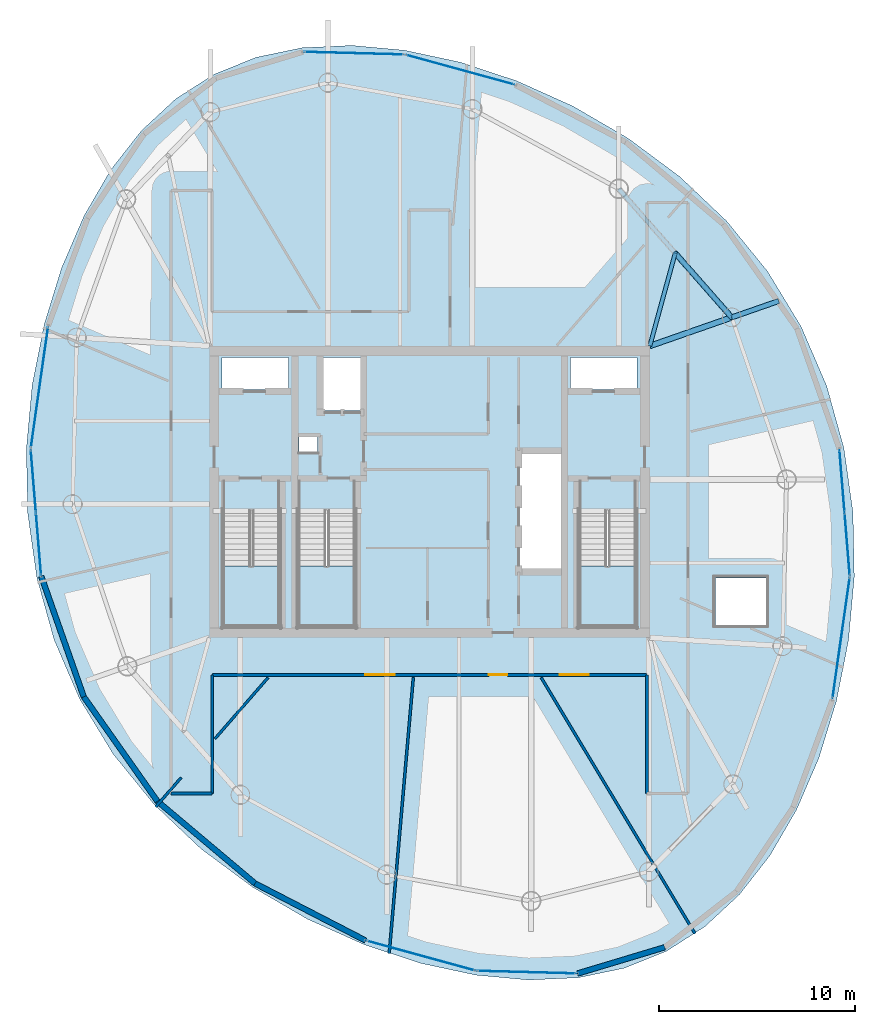
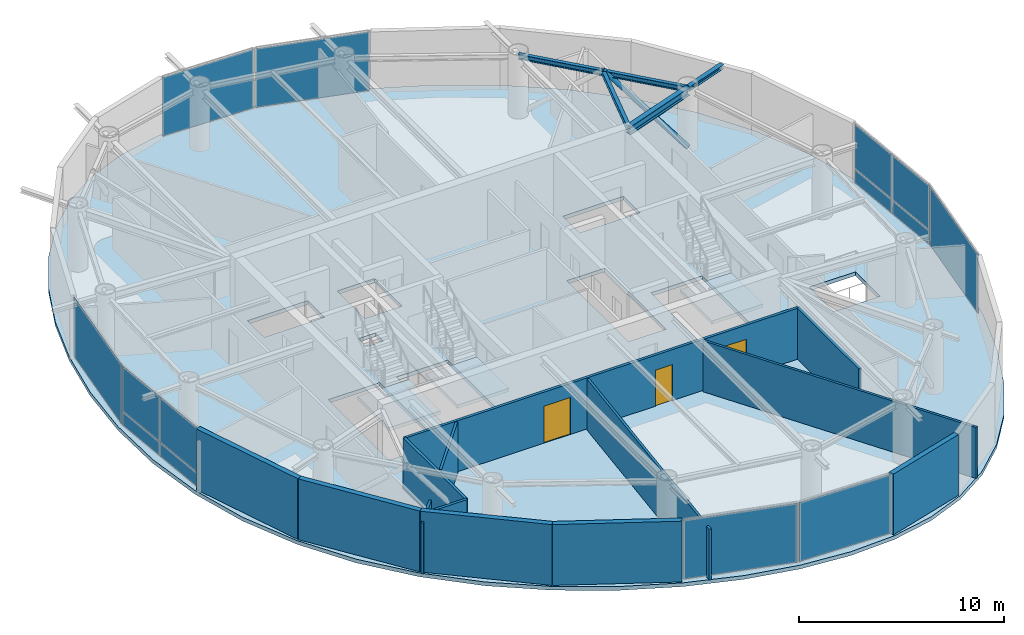
# One storey, part 14 of 20: 14 plates, 13 walls, 4 beams, 4 slabs, 3 doors, 1 member, 3 openings, 11 elements without a shape of their own.
"""IFC4 building model written with IfcOpenShell, lengths in metres."""

from ifc_helpers import new_model, si_unit, direction, frame, frame_2d, origin, origin_2d, place, context, subcontext, project, spatial, polyline, rectangle, hollow_circle, i_section, outline, extrude, material, layer, layer_set, material_profile, profile_set, type_object, element, fill, aggregate, save


model = new_model("IFC4")

# Units and contexts
model_context = context("Model", 3, precision=1e-05, world=origin(), true_north=direction((0.0, 1.0)))
body_context = subcontext(model_context, "Body", "Model", "MODEL_VIEW")
ifc_project = project(units=[si_unit("LENGTHUNIT", "METRE"), si_unit("AREAUNIT", "SQUARE_METRE"), si_unit("VOLUMEUNIT", "CUBIC_METRE"), si_unit("PLANEANGLEUNIT", "RADIAN"), si_unit("MASSUNIT", "GRAM", prefix="KILO")], contexts=[model_context])

# Site, building, storey
site_placement = place(None, origin())
site = spatial("IfcSite", under=ifc_project, at=site_placement, CompositionType="ELEMENT")
building_placement = place(site_placement, origin())
building = spatial("IfcBuilding", under=site, at=building_placement, Name="Bramvorn Convention Spire", CompositionType="ELEMENT")
storey_placement = place(building_placement, frame((0.0, 0.0, 284.39990234375)))
storey = spatial("IfcBuildingStorey", under=building, at=storey_placement, Name="L72", CompositionType="ELEMENT", Elevation=284.39990234375)

# Beams
ifc_material_1 = material(Name="Steel CSA G40.21 Grade 350 (350W)", Category="steel")
ifc_material_profile_1 = material_profile(ifc_material_1, i_section(OverallWidth=0.201904296875, OverallDepth=0.2470703125, WebThickness=0.00732421875, FlangeThickness=0.010986328125, FilletRadius=0.011962890625, at=origin_2d()))
ifc_profile_set_1 = profile_set([ifc_material_profile_1], Name="Steel CSA G40.21 Grade 350 (350W) - W250X49")
beam_type_1 = type_object("IfcBeamType", Name="BM-W250X49", PredefinedType="JOIST", material=ifc_profile_set_1)
beam_1_placement = place(storey_placement, frame((49.25, 33.449951171875, 3.501708984375), z_axis=(0.26386506219, 0.96455960363, 0.0), x_axis=(-0.96455960363, 0.26386506219, 0.0)))
element("IfcBeam", 1, at=beam_1_placement, inside=storey, type_object=beam_type_1, Name="L72 composite floor joist 05", PredefinedType="JOIST", context=body_context, shape_type="SweptSolid", body=[
    extrude(i_section(OverallWidth=0.201904296875, OverallDepth=0.2470703125, WebThickness=0.00732421875, FlangeThickness=0.010986328125, FilletRadius=0.011962890625, at=origin_2d()), origin(), (0.0, 0.0, 1.0), 4.917724609375),
])
ifc_material_profile_2 = material_profile(ifc_material_1, i_section(OverallWidth=0.25390625, OverallDepth=0.2529296875, WebThickness=0.008544921875, FlangeThickness=0.01416015625, FilletRadius=0.011962890625, at=origin_2d()))
ifc_profile_set_2 = profile_set([ifc_material_profile_2], Name="Steel CSA G40.21 Grade 350 (350W) - W250X73")
beam_type_2 = type_object("IfcBeamType", Name="BM-W250X73", PredefinedType="BEAM", material=ifc_profile_set_2)
beam_2_placement = place(storey_placement, frame((53.4326171875, 34.909912109375, 3.49853515625), z_axis=(0.94411069439, 0.329628573912, 0.0), x_axis=(-0.329628573912, 0.94411069439, 0.0)))
element("IfcBeam", 2, at=beam_2_placement, inside=storey, type_object=beam_type_2, Name="L72 slab-edge cantilever tip beam MC05", PredefinedType="BEAM", context=body_context, shape_type="SweptSolid", body=[
    extrude(i_section(OverallWidth=0.25390625, OverallDepth=0.2529296875, WebThickness=0.008544921875, FlangeThickness=0.01416015625, FilletRadius=0.011962890625, at=origin_2d()), origin(), (0.0, 0.0, 1.0), 2.54638671875),
])
ifc_material_profile_3 = material_profile(ifc_material_1, i_section(OverallWidth=0.202880859375, OverallDepth=0.302978515625, WebThickness=0.007568359375, FlangeThickness=0.01318359375, FilletRadius=0.013916015625, at=origin_2d()))
ifc_profile_set_3 = profile_set([ifc_material_profile_3], Name="Steel CSA G40.21 Grade 350 (350W) - W310X60")
beam_type_3 = type_object("IfcBeamType", Name="BM-W310X60", PredefinedType="JOIST", material=ifc_profile_set_3)
beam_3_placement = place(storey_placement, frame((53.4326171875, 34.909912109375, 3.4736328125), z_axis=(-0.660073062339, 0.751201405999, 0.0), x_axis=(-0.751201405999, -0.660073062339, 0.0)))
element("IfcBeam", 3, at=beam_3_placement, inside=storey, type_object=beam_type_3, Name="L72 mega-column ring beam 05", PredefinedType="JOIST", context=body_context, shape_type="SweptSolid", body=[
    extrude(i_section(OverallWidth=0.202880859375, OverallDepth=0.302978515625, WebThickness=0.007568359375, FlangeThickness=0.01318359375, FilletRadius=0.013916015625, at=origin_2d()), origin(), (0.0, 0.0, 1.0), 8.741943359375),
])
ifc_material_profile_4 = material_profile(ifc_material_1, i_section(OverallWidth=0.283935546875, OverallDepth=0.47607421875, WebThickness=0.014892578125, FlangeThickness=0.02392578125, FilletRadius=0.01806640625, at=origin_2d()))
ifc_profile_set_4 = profile_set([ifc_material_profile_4], Name="Steel CSA G40.21 Grade 350 (350W) - W460X158")
beam_type_4 = type_object("IfcBeamType", Name="BM-W460X158", PredefinedType="SPANDREL", material=ifc_profile_set_4)
beam_4_placement = place(storey_placement, frame((49.25, 33.449951171875, 3.38720703125), z_axis=(0.944136391877, 0.329554962843, 0.0), x_axis=(-0.329554962843, 0.944136391877, 0.0)))
element("IfcBeam", 4, at=beam_4_placement, inside=storey, type_object=beam_type_4, Name="L72 radial floor girder MC05", PredefinedType="SPANDREL", context=body_context, shape_type="SweptSolid", body=[
    extrude(i_section(OverallWidth=0.283935546875, OverallDepth=0.47607421875, WebThickness=0.014892578125, FlangeThickness=0.02392578125, FilletRadius=0.01806640625, at=origin_2d()), origin(), (0.0, 0.0, 1.0), 4.43017578125),
])

# Member
ifc_material_profile_5 = material_profile(ifc_material_1, hollow_circle(Radius=0.136474609375, WallThickness=0.0126953125, at=origin_2d()))
ifc_profile_set_5 = profile_set([ifc_material_profile_5], Name="Steel CSA G40.21 Grade 350 (350W) - CHS273X13")
member_type = type_object("IfcMemberType", Name="MBR-CHS273X13", PredefinedType="BRACE", material=ifc_profile_set_5)
member_placement = place(storey_placement, frame((53.4326171875, 34.909912109375, 0.0), z_axis=(-0.508061812102, 0.578228256829, 0.63837706576), x_axis=(-0.751215254017, -0.660057302158, 0.0)))
element("IfcMember", 5, at=member_placement, inside=storey, type_object=member_type, Name="L72 perimeter Gothic lancet brace 5A", PredefinedType="BRACE", context=body_context, shape_type="SweptSolid", body=[
    extrude(hollow_circle(Radius=0.136474609375, WallThickness=0.0126953125, at=origin_2d()), origin(), (0.0, 0.0, 1.0), 5.678466796875),
])

# Curtain wall, plate
ifc_material_2 = material(Name="Anodised Bronze Unitised Curtain Wall", Category="aluminium")
ifc_layer_1 = layer(ifc_material_2, 0.179931640625)
ifc_layer_set_1 = layer_set([ifc_layer_1], Name="Anodised Bronze Unitised Curtain Wall - CW-OFF-FRIT")
curtain_wall_type = type_object("IfcCurtainWallType", Name="CW-OFF-FRIT", PredefinedType="USERDEFINED", material=ifc_layer_set_1)
curtain_wall_1_placement = place(storey_placement, origin())
curtain_wall_1 = element("IfcCurtainWall", 6, at=curtain_wall_1_placement, inside=storey, type_object=curtain_wall_type, Name="L72 fritted glass curtain wall 04", ObjectType="UNITISED CURTAIN WALL", PredefinedType="USERDEFINED")
ifc_material_3 = material(Name="Laminated Low-E Glass (Triple IGU High-VLT Low-Iron 22%)", Category="glass")
ifc_layer_2 = layer(ifc_material_3, 0.0419921875)
ifc_layer_set_2 = layer_set([ifc_layer_2], Name="Laminated Low-E Glass (Triple IGU High-VLT Low-Iron 22%) - PNL-IGU-4")
plate_type = type_object("IfcPlateType", Name="PNL-IGU-4", PredefinedType="CURTAIN_PANEL", material=ifc_layer_set_2)
plate_1_placement = place(storey_placement, frame((59.023681640625, 18.5341796875, 0.06005859375), z_axis=(0.0, 0.0, 1.0), x_axis=(-0.140529925952, -0.990076431349, 0.0)))
plate_1 = element("IfcPlate", 7, at=plate_1_placement, type_object=plate_type, Name="CW3 panel 1.1", PredefinedType="CURTAIN_PANEL", context=body_context, shape_type="SweptSolid", body=[
    extrude(rectangle(XDim=6.225341796875, YDim=0.028076171875, at=origin_2d()), origin(), (0.0, 0.0, 1.0), 3.5048828125),
])
aggregate(curtain_wall_1, [plate_1])

# Curtain wall, plates
curtain_wall_2_placement = place(storey_placement, origin())
curtain_wall_2 = element("IfcCurtainWall", 8, at=curtain_wall_2_placement, inside=storey, type_object=curtain_wall_type, Name="L72 fritted glass curtain wall 05", ObjectType="UNITISED CURTAIN WALL", PredefinedType="USERDEFINED")
plate_2_placement = place(storey_placement, frame((59.0703125, 26.53857421875, 0.06005859375), z_axis=(0.0, 0.0, 1.0), x_axis=(0.081809015619, -0.996648024612, 0.0)))
plate_2 = element("IfcPlate", 9, at=plate_2_placement, type_object=plate_type, Name="CW3 panel 1.1", PredefinedType="CURTAIN_PANEL", context=body_context, shape_type="SweptSolid", body=[
    extrude(rectangle(XDim=3.173095703125, YDim=0.028076171875, at=origin_2d()), origin(), (0.0, 0.0, 1.0), 0.81005859375),
])
plate_3_placement = place(storey_placement, frame((59.0703125, 26.53857421875, 0.93017578125), z_axis=(0.0, 0.0, 1.0), x_axis=(0.081809015619, -0.996648024612, 0.0)))
plate_3 = element("IfcPlate", 10, at=plate_3_placement, type_object=plate_type, Name="CW3 panel 1.2", PredefinedType="CURTAIN_PANEL", context=body_context, shape_type="SweptSolid", body=[
    extrude(rectangle(XDim=3.173095703125, YDim=0.028076171875, at=origin_2d()), origin(), (0.0, 0.0, 1.0), 2.635009765625),
])
plate_4_placement = place(storey_placement, frame((59.334716796875, 23.31640625, 0.06005859375), z_axis=(0.0, 0.0, 1.0), x_axis=(0.081809015619, -0.996648024612, 0.0)))
plate_4 = element("IfcPlate", 11, at=plate_4_placement, type_object=plate_type, Name="CW3 panel 2.1", PredefinedType="CURTAIN_PANEL", context=body_context, shape_type="SweptSolid", body=[
    extrude(rectangle(XDim=3.173095703125, YDim=0.028076171875, at=origin_2d()), origin(), (0.0, 0.0, 1.0), 0.81005859375),
])
plate_5_placement = place(storey_placement, frame((59.334716796875, 23.31640625, 0.93017578125), z_axis=(0.0, 0.0, 1.0), x_axis=(0.081809015619, -0.996648024612, 0.0)))
plate_5 = element("IfcPlate", 12, at=plate_5_placement, type_object=plate_type, Name="CW3 panel 2.2", PredefinedType="CURTAIN_PANEL", context=body_context, shape_type="SweptSolid", body=[
    extrude(rectangle(XDim=3.173095703125, YDim=0.028076171875, at=origin_2d()), origin(), (0.0, 0.0, 1.0), 2.635009765625),
])
aggregate(curtain_wall_2, [plate_2, plate_3, plate_4, plate_5])

# Curtain wall, plate
curtain_wall_3_placement = place(storey_placement, origin())
curtain_wall_3 = element("IfcCurtainWall", 13, at=curtain_wall_3_placement, inside=storey, type_object=curtain_wall_type, Name="L72 fritted glass curtain wall 10", ObjectType="UNITISED CURTAIN WALL", PredefinedType="USERDEFINED")
plate_6_placement = place(storey_placement, frame((39.549560546875, 47.560546875, 0.06005859375), z_axis=(0.0, 0.0, 1.0), x_axis=(0.96435586665, -0.264608696866, 0.0)))
plate_6 = element("IfcPlate", 14, at=plate_6_placement, type_object=plate_type, Name="CW3 panel 1.1", PredefinedType="CURTAIN_PANEL", context=body_context, shape_type="SweptSolid", body=[
    extrude(rectangle(XDim=5.739990234375, YDim=0.028076171875, at=origin_2d()), origin(), (0.0, 0.0, 1.0), 3.5048828125),
])
aggregate(curtain_wall_3, [plate_6])

curtain_wall_4_placement = place(storey_placement, origin())
curtain_wall_4 = element("IfcCurtainWall", 15, at=curtain_wall_4_placement, inside=storey, type_object=curtain_wall_type, Name="L72 fritted glass curtain wall 11", ObjectType="UNITISED CURTAIN WALL", PredefinedType="USERDEFINED")
plate_7_placement = place(storey_placement, frame((34.13525390625, 48.40380859375, 0.06005859375), z_axis=(0.0, 0.0, 1.0), x_axis=(0.999655174239, -0.02625895308, 0.0)))
plate_7 = element("IfcPlate", 16, at=plate_7_placement, type_object=plate_type, Name="CW3 panel 1.1", PredefinedType="CURTAIN_PANEL", context=body_context, shape_type="SweptSolid", body=[
    extrude(rectangle(XDim=5.05908203125, YDim=0.028076171875, at=origin_2d()), origin(), (0.0, 0.0, 1.0), 3.5048828125),
])
aggregate(curtain_wall_4, [plate_7])

curtain_wall_5_placement = place(storey_placement, origin())
curtain_wall_5 = element("IfcCurtainWall", 17, at=curtain_wall_5_placement, inside=storey, type_object=curtain_wall_type, Name="L72 fritted glass curtain wall 16", ObjectType="UNITISED CURTAIN WALL", PredefinedType="USERDEFINED")
plate_8_placement = place(storey_placement, frame((18.0771484375, 31.333251953125, 0.06005859375), z_axis=(0.0, 0.0, 1.0), x_axis=(0.140545374442, 0.990074238491, 0.0)))
plate_8 = element("IfcPlate", 18, at=plate_8_placement, type_object=plate_type, Name="CW3 panel 1.1", PredefinedType="CURTAIN_PANEL", context=body_context, shape_type="SweptSolid", body=[
    extrude(rectangle(XDim=6.225341796875, YDim=0.028076171875, at=origin_2d()), origin(), (0.0, 0.0, 1.0), 3.5048828125),
])
aggregate(curtain_wall_5, [plate_8])

# Curtain wall, plates
curtain_wall_6_placement = place(storey_placement, origin())
curtain_wall_6 = element("IfcCurtainWall", 19, at=curtain_wall_6_placement, inside=storey, type_object=curtain_wall_type, Name="L72 fritted glass curtain wall 17", ObjectType="UNITISED CURTAIN WALL", PredefinedType="USERDEFINED")
plate_9_placement = place(storey_placement, frame((18.030517578125, 23.32861328125, 0.06005859375), z_axis=(0.0, 0.0, 1.0), x_axis=(-0.081809015619, 0.996648024612, 0.0)))
plate_9 = element("IfcPlate", 20, at=plate_9_placement, type_object=plate_type, Name="CW3 panel 1.1", PredefinedType="CURTAIN_PANEL", context=body_context, shape_type="SweptSolid", body=[
    extrude(rectangle(XDim=3.173095703125, YDim=0.028076171875, at=origin_2d()), origin(), (0.0, 0.0, 1.0), 0.81005859375),
])
plate_10_placement = place(storey_placement, frame((18.030517578125, 23.32861328125, 0.93017578125), z_axis=(0.0, 0.0, 1.0), x_axis=(-0.081809015619, 0.996648024612, 0.0)))
plate_10 = element("IfcPlate", 21, at=plate_10_placement, type_object=plate_type, Name="CW3 panel 1.2", PredefinedType="CURTAIN_PANEL", context=body_context, shape_type="SweptSolid", body=[
    extrude(rectangle(XDim=3.173095703125, YDim=0.028076171875, at=origin_2d()), origin(), (0.0, 0.0, 1.0), 2.635009765625),
])
plate_11_placement = place(storey_placement, frame((17.765869140625, 26.551025390625, 0.06005859375), z_axis=(0.0, 0.0, 1.0), x_axis=(-0.081809015619, 0.996648024612, 0.0)))
plate_11 = element("IfcPlate", 22, at=plate_11_placement, type_object=plate_type, Name="CW3 panel 2.1", PredefinedType="CURTAIN_PANEL", context=body_context, shape_type="SweptSolid", body=[
    extrude(rectangle(XDim=3.173095703125, YDim=0.028076171875, at=origin_2d()), origin(), (0.0, 0.0, 1.0), 0.81005859375),
])
plate_12_placement = place(storey_placement, frame((17.765869140625, 26.551025390625, 0.93017578125), z_axis=(0.0, 0.0, 1.0), x_axis=(-0.081809015619, 0.996648024612, 0.0)))
plate_12 = element("IfcPlate", 23, at=plate_12_placement, type_object=plate_type, Name="CW3 panel 2.2", PredefinedType="CURTAIN_PANEL", context=body_context, shape_type="SweptSolid", body=[
    extrude(rectangle(XDim=3.173095703125, YDim=0.028076171875, at=origin_2d()), origin(), (0.0, 0.0, 1.0), 2.635009765625),
])
aggregate(curtain_wall_6, [plate_9, plate_10, plate_11, plate_12])

# Curtain wall, plate
curtain_wall_7_placement = place(storey_placement, origin())
curtain_wall_7 = element("IfcCurtainWall", 24, at=curtain_wall_7_placement, inside=storey, type_object=curtain_wall_type, Name="L72 fritted glass curtain wall 22", ObjectType="UNITISED CURTAIN WALL", PredefinedType="USERDEFINED")
plate_13_placement = place(storey_placement, frame((37.55126953125, 2.306640625, 0.06005859375), z_axis=(0.0, 0.0, 1.0), x_axis=(-0.964351511964, 0.264624566837, 0.0)))
plate_13 = element("IfcPlate", 25, at=plate_13_placement, type_object=plate_type, Name="CW3 panel 1.1", PredefinedType="CURTAIN_PANEL", context=body_context, shape_type="SweptSolid", body=[
    extrude(rectangle(XDim=5.739990234375, YDim=0.028076171875, at=origin_2d()), origin(), (0.0, 0.0, 1.0), 3.5048828125),
])
aggregate(curtain_wall_7, [plate_13])

curtain_wall_8_placement = place(storey_placement, origin())
curtain_wall_8 = element("IfcCurtainWall", 26, at=curtain_wall_8_placement, inside=storey, type_object=curtain_wall_type, Name="L72 fritted glass curtain wall 23", ObjectType="UNITISED CURTAIN WALL", PredefinedType="USERDEFINED")
plate_14_placement = place(storey_placement, frame((42.965576171875, 1.46337890625, 0.06005859375), z_axis=(0.0, 0.0, 1.0), x_axis=(-0.999655187552, 0.026258446254, 0.0)))
plate_14 = element("IfcPlate", 27, at=plate_14_placement, type_object=plate_type, Name="CW3 panel 1.1", PredefinedType="CURTAIN_PANEL", context=body_context, shape_type="SweptSolid", body=[
    extrude(rectangle(XDim=5.059326171875, YDim=0.028076171875, at=origin_2d()), origin(), (0.0, 0.0, 1.0), 3.5048828125),
])
aggregate(curtain_wall_8, [plate_14])

# Stair, slab
ifc_material_4 = material(Name="Concrete C40/50 Precast Stair", Category="concrete")
stair_type = type_object("IfcStairType", Name="ST-TOWER-1550", PredefinedType="HALF_TURN_STAIR", material=ifc_material_4)
stair_1_placement = place(storey_placement, origin())
stair_1 = element("IfcStair", 28, at=stair_1_placement, inside=storey, type_object=stair_type, Name="L72 Protected Exit Stair ST1", PredefinedType="HALF_TURN_STAIR")
ifc_material_5 = material(Name="Concrete C40/50 Stair Landing", Category="concrete")
ifc_layer_3 = layer(ifc_material_5, 0.219970703125)
ifc_layer_set_3 = layer_set([ifc_layer_3], Name="Concrete C40/50 Stair Landing - SLB-STAIR-LANDING")
slab_type_1 = type_object("IfcSlabType", Name="SLB-STAIR-LANDING", PredefinedType="LANDING", material=ifc_layer_set_3)
slab_1_placement = place(storey_placement, frame((0.0, 0.0, 1.72509765625)))
slab_1 = element("IfcSlab", 29, at=slab_1_placement, type_object=slab_type_1, Name="ST1 landing 1", PredefinedType="LANDING", context=body_context, shape_type="SweptSolid", body=[
    extrude(outline(polyline([(27.449951171875, 22.199951171875), (27.449951171875, 19.10009765625), (30.35009765625, 19.10009765625), (30.35009765625, 22.199951171875), (27.449951171875, 22.199951171875)])), origin(), (0.0, 0.0, 1.0), 0.199951171875),
])
aggregate(stair_1, [slab_1])

stair_2_placement = place(storey_placement, origin())
stair_2 = element("IfcStair", 30, at=stair_2_placement, inside=storey, type_object=stair_type, Name="L72 Protected Exit Stair ST2", PredefinedType="HALF_TURN_STAIR")
slab_2_placement = place(storey_placement, frame((0.0, 0.0, 1.72509765625)))
slab_2 = element("IfcSlab", 31, at=slab_2_placement, type_object=slab_type_1, Name="ST2 landing 1", PredefinedType="LANDING", context=body_context, shape_type="SweptSolid", body=[
    extrude(outline(polyline([(45.64990234375, 22.199951171875), (45.64990234375, 19.10009765625), (48.550048828125, 19.10009765625), (48.550048828125, 22.199951171875), (45.64990234375, 22.199951171875)])), origin(), (0.0, 0.0, 1.0), 0.199951171875),
])
aggregate(stair_2, [slab_2])

stair_3_placement = place(storey_placement, origin())
stair_3 = element("IfcStair", 32, at=stair_3_placement, inside=storey, type_object=stair_type, Name="L72 Protected Exit Stair ST3", PredefinedType="HALF_TURN_STAIR")
slab_3_placement = place(storey_placement, frame((0.0, 0.0, 1.72509765625)))
slab_3 = element("IfcSlab", 33, at=slab_3_placement, type_object=slab_type_1, Name="ST3 landing 1", PredefinedType="LANDING", context=body_context, shape_type="SweptSolid", body=[
    extrude(outline(polyline([(31.300048828125, 22.199951171875), (31.300048828125, 19.10009765625), (34.199951171875, 19.10009765625), (34.199951171875, 22.199951171875), (31.300048828125, 22.199951171875)])), origin(), (0.0, 0.0, 1.0), 0.199951171875),
])
aggregate(stair_3, [slab_3])

# Slab
ifc_material_6 = material(Name="Concrete C40/50", Category="concrete")
ifc_layer_4 = layer(ifc_material_6, 0.22509765625)
ifc_layer_set_4 = layer_set([ifc_layer_4], Name="Concrete C40/50 - SLB-Z4-225")
slab_type_2 = type_object("IfcSlabType", Name="SLB-Z4-225", PredefinedType="FLOOR", material=ifc_layer_set_4)
slab_4_placement = place(storey_placement, frame((0.0, 0.0, -0.224853515625)))
element("IfcSlab", 34, at=slab_4_placement, inside=storey, type_object=slab_type_2, Name="L72 tower floor slab", PredefinedType="FLOOR", context=body_context, shape_type="SweptSolid", body=[
    extrude(outline(polyline([(50.1083984375, 2.54052734375), (52.064208984375, 3.792724609375), (53.824462890625, 5.4248046875), (55.38818359375, 7.42431640625), (56.74951171875, 9.767578125), (57.89111328125, 12.417724609375), (58.787353515625, 15.326171875), (59.40234375, 18.4326171875), (59.696044921875, 21.66845703125), (59.627685546875, 24.960205078125), (59.163818359375, 28.233154296875), (58.281494140625, 31.416259765625), (56.976806640625, 34.444091796875), (55.264404296875, 37.261962890625), (53.180908203125, 39.82470703125), (50.78173828125, 42.09912109375), (48.13818359375, 44.0615234375), (45.330322265625, 45.69677734375), (42.44189453125, 46.994873046875), (39.552001953125, 47.94921875), (36.73046875, 48.5537109375), (34.031982421875, 48.801513671875), (31.49609375, 48.68505859375), (29.146240234375, 48.19580078125), (26.992431640625, 47.326904296875), (25.036376953125, 46.07470703125), (23.2763671875, 44.4423828125), (21.71240234375, 42.44287109375), (20.351318359375, 40.099853515625), (19.20947265625, 37.449462890625), (18.3134765625, 34.541259765625), (17.6982421875, 31.434814453125), (17.40478515625, 28.198974609375), (17.472900390625, 24.9072265625), (17.93701171875, 21.634033203125), (18.819091796875, 18.451171875), (20.1240234375, 15.423095703125), (21.83642578125, 12.60546875), (23.919921875, 10.04248046875), (26.319091796875, 7.768310546875), (28.962646484375, 5.8056640625), (31.7705078125, 4.170654296875), (34.65869140625, 2.87255859375), (37.548583984375, 1.918212890625), (40.370361328125, 1.313720703125), (43.06884765625, 1.06591796875), (45.6044921875, 1.182373046875), (47.95458984375, 1.67138671875), (50.1083984375, 2.54052734375)]), holes=[polyline([(27.449951171875, 25.050048828125), (27.449951171875, 19.10009765625), (30.35009765625, 19.10009765625), (30.35009765625, 25.050048828125), (27.449951171875, 25.050048828125)]), polyline([(45.64990234375, 25.050048828125), (45.64990234375, 19.10009765625), (48.550048828125, 19.10009765625), (48.550048828125, 25.050048828125), (45.64990234375, 25.050048828125)]), polyline([(31.300048828125, 25.050048828125), (31.300048828125, 19.10009765625), (34.199951171875, 19.10009765625), (34.199951171875, 25.050048828125), (31.300048828125, 25.050048828125)]), polyline([(27.39990234375, 31.219970703125), (30.800048828125, 31.219970703125), (30.800048828125, 32.85009765625), (27.39990234375, 32.85009765625), (27.39990234375, 31.219970703125)]), polyline([(45.199951171875, 31.219970703125), (48.60009765625, 31.219970703125), (48.60009765625, 32.85009765625), (45.199951171875, 32.85009765625), (45.199951171875, 31.219970703125)]), polyline([(32.449951171875, 30.14990234375), (34.56005859375, 30.14990234375), (34.56005859375, 32.85009765625), (32.449951171875, 32.85009765625), (32.449951171875, 30.14990234375)]), polyline([(42.6201171875, 22.0), (44.75, 22.0), (44.75, 28.0), (42.6201171875, 28.0), (42.6201171875, 22.0)]), polyline([(31.320068359375, 28.02001953125), (32.280029296875, 28.02001953125), (32.280029296875, 28.820068359375), (31.320068359375, 28.820068359375), (31.320068359375, 28.02001953125)]), polyline([(52.60009765625, 19.199951171875), (55.199951171875, 19.199951171875), (55.199951171875, 21.60009765625), (52.60009765625, 21.60009765625), (52.60009765625, 19.199951171875)])]), origin(), (0.0, 0.0, 1.0), 0.224853515625),
])

# Walls
ifc_material_7 = material(Name="Precast Concrete C40/50 with Bronze Terracotta Rainscreen", Category="masonry")
ifc_layer_5 = layer(ifc_material_7, 0.300048828125)
ifc_layer_set_5 = layer_set([ifc_layer_5], Name="Precast Concrete C40/50 with Bronze Terracotta Rainscreen - WL-EXT-BRONZE-300")
wall_type_1 = type_object("IfcWallType", Name="WL-EXT-BRONZE-300", PredefinedType="SOLIDWALL", material=ifc_layer_set_5)
wall_1_placement = place(storey_placement, frame((20.335205078125, 15.531982421875, 0.0), z_axis=(0.0, 0.0, 1.0), x_axis=(-0.33248553101, 0.943108356271, 0.0)))
element("IfcWall", 35, at=wall_1_placement, inside=storey, type_object=wall_type_1, Name="L72 expressed bronze Gothic lancet pier wall 18", PredefinedType="SOLIDWALL", context=body_context, shape_type="SweptSolid", body=[
    extrude(rectangle(XDim=6.527099609375, YDim=0.280029296875, at=frame_2d((3.263671875, 0.0))), origin(), (0.0, 0.0, 1.0), 3.625),
])
wall_2_placement = place(storey_placement, frame((24.095703125, 10.197509765625, 0.0), z_axis=(0.0, 0.0, 1.0), x_axis=(-0.576170538891, 0.817329499109, 0.0)))
element("IfcWall", 36, at=wall_2_placement, inside=storey, type_object=wall_type_1, Name="L72 expressed bronze Gothic lancet pier wall 19", PredefinedType="SOLIDWALL", context=body_context, shape_type="SweptSolid", body=[
    extrude(rectangle(XDim=6.526611328125, YDim=0.280029296875, at=frame_2d((3.26318359375, 0.0))), origin(), (0.0, 0.0, 1.0), 3.625),
])
wall_3_placement = place(storey_placement, frame((29.08837890625, 5.994384765625, 0.0), z_axis=(0.0, 0.0, 1.0), x_axis=(-0.76500431734, 0.64402515048, 0.0)))
element("IfcWall", 37, at=wall_3_placement, inside=storey, type_object=wall_type_1, Name="L72 expressed bronze Gothic lancet pier wall 20", PredefinedType="SOLIDWALL", context=body_context, shape_type="SweptSolid", body=[
    extrude(rectangle(XDim=6.5263671875, YDim=0.280029296875, at=frame_2d((3.26318359375, 0.0))), origin(), (0.0, 0.0, 1.0), 3.625),
])
wall_4_placement = place(storey_placement, frame((34.7255859375, 3.08203125, 0.0), z_axis=(0.0, 0.0, 1.0), x_axis=(-0.888438982509, 0.45899474328, 0.0)))
element("IfcWall", 38, at=wall_4_placement, inside=storey, type_object=wall_type_1, Name="L72 expressed bronze Gothic lancet pier wall 21", PredefinedType="SOLIDWALL", context=body_context, shape_type="SweptSolid", body=[
    extrude(rectangle(XDim=6.344970703125, YDim=0.280029296875, at=frame_2d((3.17236328125, 0.0))), origin(), (0.0, 0.0, 1.0), 3.625),
])
wall_5_placement = place(storey_placement, frame((50.00732421875, 2.736083984375, 0.0), z_axis=(0.0, 0.0, 1.0), x_axis=(-0.957551320762, -0.288262845521, 0.0)))
element("IfcWall", 39, at=wall_5_placement, inside=storey, type_object=wall_type_1, Name="L72 expressed bronze Gothic lancet pier wall 24", PredefinedType="SOLIDWALL", context=body_context, shape_type="SweptSolid", body=[
    extrude(rectangle(XDim=4.650634765625, YDim=0.280029296875, at=frame_2d((2.3251953125, 0.0))), origin(), (0.0, 0.0, 1.0), 3.625),
])
ifc_material_8 = material(Name="Metal-Stud Demountable Office Partition", Category="gypsum")
ifc_layer_6 = layer(ifc_material_8, 0.1298828125)
ifc_layer_set_6 = layer_set([ifc_layer_6], Name="Metal-Stud Demountable Office Partition - WL-PART-130")
wall_type_2 = type_object("IfcWallType", Name="WL-PART-130", PredefinedType="PARTITIONING", material=ifc_layer_set_6)
wall_6_placement = place(storey_placement, frame((29.75048828125, 16.510009765625, 0.0), z_axis=(0.0, 0.0, 1.0), x_axis=(-0.656070441922, -0.754699658961, 0.0)))
element("IfcWall", 40, at=wall_6_placement, inside=storey, type_object=wall_type_2, Name="L72 Tenant suite partition 7", PredefinedType="PARTITIONING", context=body_context, shape_type="SweptSolid", body=[
    extrude(rectangle(XDim=4.13134765625, YDim=0.1298828125, at=frame_2d((2.065673828125, 0.0))), origin(), (0.0, 0.0, 1.0), 3.0400390625),
])
wall_7_placement = place(storey_placement, frame((25.310546875, 11.40234375, 0.0), z_axis=(0.0, 0.0, 1.0), x_axis=(-0.656123689606, -0.754653366743, 0.0)))
element("IfcWall", 41, at=wall_7_placement, inside=storey, type_object=wall_type_2, Name="L72 Tenant suite partition 7", PredefinedType="PARTITIONING", context=body_context, shape_type="SweptSolid", body=[
    extrude(rectangle(XDim=1.977294921875, YDim=0.1298828125, at=frame_2d((0.98876953125, 0.0))), origin(), (0.0, 0.0, 1.0), 3.0400390625),
])
wall_8_placement = place(storey_placement, frame((37.169677734375, 16.510009765625, 0.0), z_axis=(0.0, 0.0, 1.0), x_axis=(-0.087147251736, -0.996195440923, 0.0)))
element("IfcWall", 42, at=wall_8_placement, inside=storey, type_object=wall_type_2, Name="L72 Tenant suite partition 8", PredefinedType="PARTITIONING", context=body_context, shape_type="SweptSolid", body=[
    extrude(rectangle(XDim=14.14453125, YDim=0.1298828125, at=frame_2d((7.072265625, 0.0))), origin(), (0.0, 0.0, 1.0), 3.0400390625),
])
wall_9_placement = place(storey_placement, frame((43.7021484375, 16.510009765625, 0.0), z_axis=(0.0, 0.0, 1.0), x_axis=(0.515029895514, -0.857172215326, 0.0)))
element("IfcWall", 43, at=wall_9_placement, inside=storey, type_object=wall_type_2, Name="L72 Tenant suite partition 9", PredefinedType="PARTITIONING", context=body_context, shape_type="SweptSolid", body=[
    extrude(rectangle(XDim=15.25537109375, YDim=0.1298828125, at=frame_2d((7.627685546875, 0.0))), origin(), (0.0, 0.0, 1.0), 3.0400390625),
])

# Wall, openings, doors
ifc_material_9 = material(Name="Acoustic Metal-Stud Tenant/Corridor Partition", Category="gypsum")
ifc_layer_7 = layer(ifc_material_9, 0.14990234375)
ifc_layer_set_7 = layer_set([ifc_layer_7], Name="Acoustic Metal-Stud Tenant/Corridor Partition - WL-PART-150")
wall_type_3 = type_object("IfcWallType", Name="WL-PART-150", PredefinedType="PARTITIONING", material=ifc_layer_set_7)
wall_10_placement = place(storey_placement, frame((26.89990234375, 16.64990234375, 0.0), z_axis=(0.0, 0.0, 1.0), x_axis=(1.0, 0.0, 0.0)))
wall_10 = element("IfcWall", 44, at=wall_10_placement, inside=storey, type_object=wall_type_3, Name="L72 South H-crossbar wall", PredefinedType="PARTITIONING", context=body_context, shape_type="SweptSolid", body=[
    extrude(rectangle(XDim=22.2001953125, YDim=0.14990234375, at=frame_2d((11.10009765625, 0.0))), origin(), (0.0, 0.0, 1.0), 3.0400390625),
])
opening_1_placement = place(wall_10_placement, frame((7.81298828125, 0.0, 0.0)))
opening_1 = element("IfcOpeningElement", 45, at=opening_1_placement, cuts=wall_10, Name="Opening DC-150", PredefinedType="OPENING", context=body_context, shape_type="SweptSolid", body=[
    extrude(rectangle(XDim=1.5, YDim=2.199951171875, at=frame_2d((0.75, 1.10009765625))), frame((0.0, 0.0849609375, 0.0), z_axis=(0.0, -1.0, 0.0), x_axis=(1.0, 0.0, 0.0)), (0.0, 0.0, 1.0), 0.169921875),
])
opening_2_placement = place(wall_10_placement, frame((14.12548828125, 0.0, 0.0)))
opening_2 = element("IfcOpeningElement", 46, at=opening_2_placement, cuts=wall_10, Name="Opening DH-095", PredefinedType="OPENING", context=body_context, shape_type="SweptSolid", body=[
    extrude(rectangle(XDim=0.949951171875, YDim=2.14990234375, at=frame_2d((0.47509765625, 1.074951171875))), frame((0.0, 0.0849609375, 0.0), z_axis=(0.0, -1.0, 0.0), x_axis=(1.0, 0.0, 0.0)), (0.0, 0.0, 1.0), 0.169921875),
])
opening_3_placement = place(wall_10_placement, frame((17.740966796875, 0.0, 0.0)))
opening_3 = element("IfcOpeningElement", 47, at=opening_3_placement, cuts=wall_10, Name="Opening DC-150", PredefinedType="OPENING", context=body_context, shape_type="SweptSolid", body=[
    extrude(rectangle(XDim=1.5, YDim=2.199951171875, at=frame_2d((0.75, 1.10009765625))), frame((0.0, 0.0849609375, 0.0), z_axis=(0.0, -1.0, 0.0), x_axis=(1.0, 0.0, 0.0)), (0.0, 0.0, 1.0), 0.169921875),
])
ifc_material_10 = material(Name="Double-Leaf Smoke-Control Corridor Door", Category="wood")
door_type_1 = type_object("IfcDoorType", Name="DR-COR-1500", OperationType="NOTDEFINED", PredefinedType="DOOR", material=ifc_material_10)
door_1_placement = place(opening_1_placement, origin())
door_1 = element("IfcDoor", 48, at=door_1_placement, inside=storey, type_object=door_type_1, Name="L72 Reception Desk 7 door", OperationType="DOUBLE_DOOR_SINGLE_SWING", OverallHeight=2.199951171875, OverallWidth=1.5, PredefinedType="DOOR", context=body_context, shape_type="SweptSolid", body=[
    extrude(rectangle(XDim=1.5, YDim=2.199951171875, at=frame_2d((0.75, 1.10009765625))), frame((0.0, 0.02490234375, 0.0), z_axis=(0.0, -1.0, 0.0), x_axis=(1.0, 0.0, 0.0)), (0.0, 0.0, 1.0), 0.050048828125),
])
fill(opening_1, door_1)
door_2_placement = place(opening_3_placement, origin())
door_2 = element("IfcDoor", 49, at=door_2_placement, inside=storey, type_object=door_type_1, Name="L72 Design Office Studio A 9 door", OperationType="DOUBLE_DOOR_SINGLE_SWING", OverallHeight=2.199951171875, OverallWidth=1.5, PredefinedType="DOOR", context=body_context, shape_type="SweptSolid", body=[
    extrude(rectangle(XDim=1.5, YDim=2.199951171875, at=frame_2d((0.75, 1.10009765625))), frame((0.0, 0.02490234375, 0.0), z_axis=(0.0, -1.0, 0.0), x_axis=(1.0, 0.0, 0.0)), (0.0, 0.0, 1.0), 0.050048828125),
])
fill(opening_3, door_2)
ifc_material_11 = material(Name="Solid-Core Acoustic Guestroom Entry Door", Category="wood")
door_type_2 = type_object("IfcDoorType", Name="DR-HOTEL-950", OperationType="NOTDEFINED", PredefinedType="DOOR", material=ifc_material_11)
door_3_placement = place(opening_2_placement, origin())
door_3 = element("IfcDoor", 50, at=door_3_placement, inside=storey, type_object=door_type_2, Name="L72 Tenant Briefing Room 8 door", OperationType="SINGLE_SWING_RIGHT", OverallHeight=2.14990234375, OverallWidth=0.949951171875, PredefinedType="DOOR", context=body_context, shape_type="SweptSolid", body=[
    extrude(rectangle(XDim=0.949951171875, YDim=2.14990234375, at=frame_2d((0.47509765625, 1.074951171875))), frame((0.0, 0.02490234375, 0.0), z_axis=(0.0, -1.0, 0.0), x_axis=(1.0, 0.0, 0.0)), (0.0, 0.0, 1.0), 0.050048828125),
])
fill(opening_2, door_3)

# Walls
wall_11_placement = place(storey_placement, frame((26.89990234375, 10.60009765625, 0.0), z_axis=(0.0, 0.0, 1.0), x_axis=(0.0, 1.0, 0.0)))
element("IfcWall", 51, at=wall_11_placement, inside=storey, type_object=wall_type_3, Name="L72 West gallery SE wall", PredefinedType="PARTITIONING", context=body_context, shape_type="SweptSolid", body=[
    extrude(rectangle(XDim=6.0498046875, YDim=0.14990234375, at=frame_2d((3.02490234375, 0.0))), origin(), (0.0, 0.0, 1.0), 3.0400390625),
])
wall_12_placement = place(storey_placement, frame((24.800048828125, 10.60009765625, 0.0), z_axis=(0.0, 0.0, 1.0), x_axis=(1.0, 0.0, 0.0)))
element("IfcWall", 52, at=wall_12_placement, inside=storey, type_object=wall_type_3, Name="L72 West gallery south end", PredefinedType="PARTITIONING", context=body_context, shape_type="SweptSolid", body=[
    extrude(rectangle(XDim=2.099853515625, YDim=0.14990234375, at=frame_2d((1.0498046875, 0.0))), origin(), (0.0, 0.0, 1.0), 3.0400390625),
])
wall_13_placement = place(storey_placement, frame((49.10009765625, 10.60009765625, 0.0), z_axis=(0.0, 0.0, 1.0), x_axis=(0.0, 1.0, 0.0)))
element("IfcWall", 53, at=wall_13_placement, inside=storey, type_object=wall_type_3, Name="L72 East gallery SW wall", PredefinedType="PARTITIONING", context=body_context, shape_type="SweptSolid", body=[
    extrude(rectangle(XDim=6.0498046875, YDim=0.14990234375, at=frame_2d((3.02490234375, 0.0))), origin(), (0.0, 0.0, 1.0), 3.0400390625),
])

save(model, "model.ifc")
